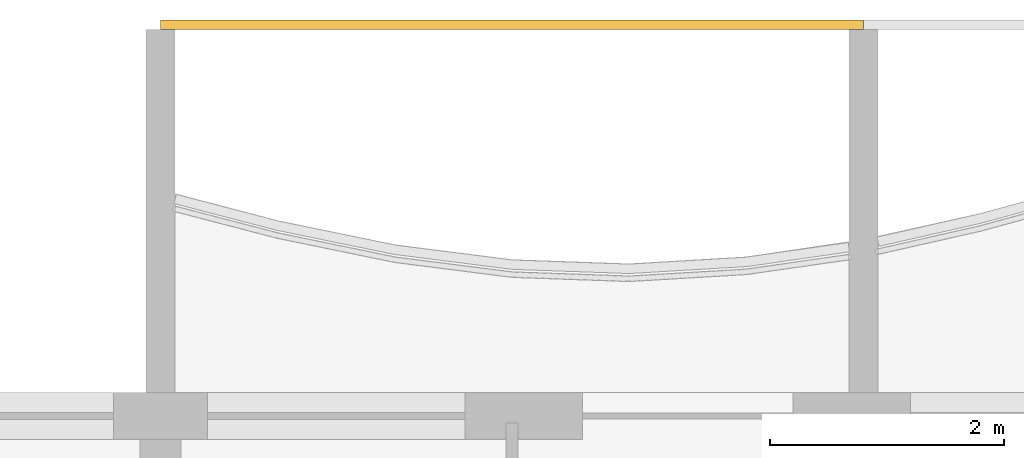
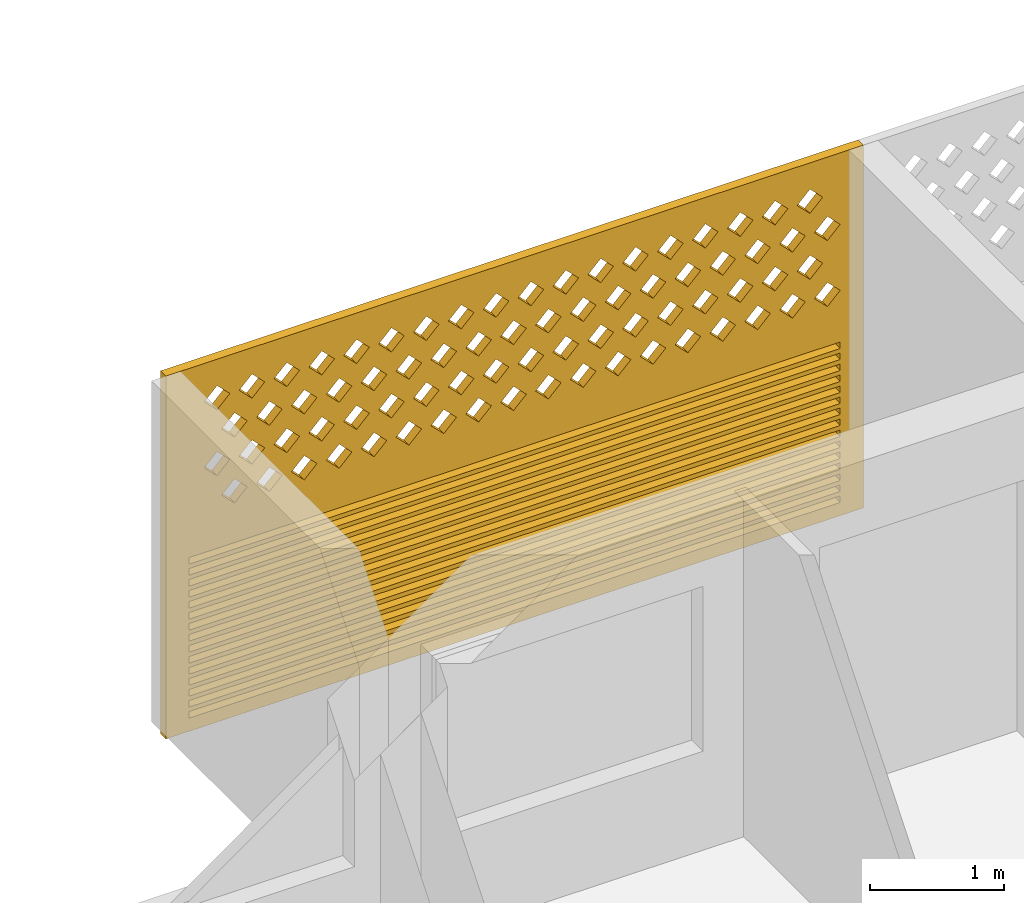
# One storey, part 22 of 27: 1 covering.
"""IFC4 building model written with IfcOpenShell, lengths in metres."""

from ifc_helpers import new_model, si_unit, direction, frame, origin, place, context, subcontext, project, spatial, polyline, outline, extrude, source, transform, mapped, material, material_profile, profile_set, type_object, element, save


model = new_model("IFC4")

# Units and contexts
model_context = context("Model", 3, precision=1e-05, world=origin(), true_north=direction((0.0, 1.0)))
body_context = subcontext(model_context, "Body", "Model", "MODEL_VIEW")
ifc_project = project(units=[si_unit("LENGTHUNIT", "METRE"), si_unit("AREAUNIT", "SQUARE_METRE"), si_unit("VOLUMEUNIT", "CUBIC_METRE"), si_unit("PLANEANGLEUNIT", "RADIAN"), si_unit("MASSUNIT", "GRAM", prefix="KILO")], contexts=[model_context])

# Site, building, storey
site_placement = place(None, origin())
site = spatial("IfcSite", under=ifc_project, at=site_placement, CompositionType="ELEMENT")
building_placement = place(site_placement, origin())
building = spatial("IfcBuilding", under=site, at=building_placement, Name="Poui Terraces", CompositionType="ELEMENT")
storey_placement = place(building_placement, frame((0.0, 0.0, 92.699951171875)))
storey = spatial("IfcBuildingStorey", under=building, at=storey_placement, Name="L25", CompositionType="ELEMENT", Elevation=92.699951171875)

# Covering
ifc_material = material(Name="Terracotta screen", Category="masonry")
ifc_material_profile = material_profile(ifc_material, outline(polyline([(-3.0, -1.64990234375), (3.0, -1.64990234375), (3.0, 1.64990234375), (-3.0, 1.64990234375), (-3.0, -1.64990234375)]), holes=[polyline([(-2.800048828125, 0.39990234375), (-2.68994140625, 0.2900390625), (-2.580078125, 0.39990234375), (-2.68994140625, 0.510009765625), (-2.800048828125, 0.39990234375)]), polyline([(-2.5, 0.39990234375), (-2.389892578125, 0.2900390625), (-2.280029296875, 0.39990234375), (-2.389892578125, 0.510009765625), (-2.5, 0.39990234375)]), polyline([(-2.199951171875, 0.39990234375), (-2.090087890625, 0.2900390625), (-1.97998046875, 0.39990234375), (-2.090087890625, 0.510009765625), (-2.199951171875, 0.39990234375)]), polyline([(-1.89990234375, 0.39990234375), (-1.7900390625, 0.2900390625), (-1.679931640625, 0.39990234375), (-1.7900390625, 0.510009765625), (-1.89990234375, 0.39990234375)]), polyline([(-1.60009765625, 0.39990234375), (-1.489990234375, 0.2900390625), (-1.3798828125, 0.39990234375), (-1.489990234375, 0.510009765625), (-1.60009765625, 0.39990234375)]), polyline([(-1.300048828125, 0.39990234375), (-1.18994140625, 0.2900390625), (-1.080078125, 0.39990234375), (-1.18994140625, 0.510009765625), (-1.300048828125, 0.39990234375)]), polyline([(-1.0, 0.39990234375), (-0.889892578125, 0.2900390625), (-0.780029296875, 0.39990234375), (-0.889892578125, 0.510009765625), (-1.0, 0.39990234375)]), polyline([(-0.699951171875, 0.39990234375), (-0.590087890625, 0.2900390625), (-0.47998046875, 0.39990234375), (-0.590087890625, 0.510009765625), (-0.699951171875, 0.39990234375)]), polyline([(-0.39990234375, 0.39990234375), (-0.2900390625, 0.2900390625), (-0.179931640625, 0.39990234375), (-0.2900390625, 0.510009765625), (-0.39990234375, 0.39990234375)]), polyline([(-0.10009765625, 0.39990234375), (0.010009765625, 0.2900390625), (0.1201171875, 0.39990234375), (0.010009765625, 0.510009765625), (-0.10009765625, 0.39990234375)]), polyline([(0.199951171875, 0.39990234375), (0.31005859375, 0.2900390625), (0.419921875, 0.39990234375), (0.31005859375, 0.510009765625), (0.199951171875, 0.39990234375)]), polyline([(0.5, 0.39990234375), (0.610107421875, 0.2900390625), (0.719970703125, 0.39990234375), (0.610107421875, 0.510009765625), (0.5, 0.39990234375)]), polyline([(0.800048828125, 0.39990234375), (0.909912109375, 0.2900390625), (1.02001953125, 0.39990234375), (0.909912109375, 0.510009765625), (0.800048828125, 0.39990234375)]), polyline([(1.10009765625, 0.39990234375), (1.2099609375, 0.2900390625), (1.320068359375, 0.39990234375), (1.2099609375, 0.510009765625), (1.10009765625, 0.39990234375)]), polyline([(1.39990234375, 0.39990234375), (1.510009765625, 0.2900390625), (1.6201171875, 0.39990234375), (1.510009765625, 0.510009765625), (1.39990234375, 0.39990234375)]), polyline([(1.699951171875, 0.39990234375), (1.81005859375, 0.2900390625), (1.919921875, 0.39990234375), (1.81005859375, 0.510009765625), (1.699951171875, 0.39990234375)]), polyline([(2.0, 0.39990234375), (2.110107421875, 0.2900390625), (2.219970703125, 0.39990234375), (2.110107421875, 0.510009765625), (2.0, 0.39990234375)]), polyline([(2.300048828125, 0.39990234375), (2.409912109375, 0.2900390625), (2.52001953125, 0.39990234375), (2.409912109375, 0.510009765625), (2.300048828125, 0.39990234375)]), polyline([(-2.64990234375, 0.699951171875), (-2.5400390625, 0.590087890625), (-2.429931640625, 0.699951171875), (-2.5400390625, 0.81005859375), (-2.64990234375, 0.699951171875)]), polyline([(-2.35009765625, 0.699951171875), (-2.239990234375, 0.590087890625), (-2.1298828125, 0.699951171875), (-2.239990234375, 0.81005859375), (-2.35009765625, 0.699951171875)]), polyline([(-2.050048828125, 0.699951171875), (-1.93994140625, 0.590087890625), (-1.830078125, 0.699951171875), (-1.93994140625, 0.81005859375), (-2.050048828125, 0.699951171875)]), polyline([(-1.75, 0.699951171875), (-1.639892578125, 0.590087890625), (-1.530029296875, 0.699951171875), (-1.639892578125, 0.81005859375), (-1.75, 0.699951171875)]), polyline([(-1.449951171875, 0.699951171875), (-1.340087890625, 0.590087890625), (-1.22998046875, 0.699951171875), (-1.340087890625, 0.81005859375), (-1.449951171875, 0.699951171875)]), polyline([(-1.14990234375, 0.699951171875), (-1.0400390625, 0.590087890625), (-0.929931640625, 0.699951171875), (-1.0400390625, 0.81005859375), (-1.14990234375, 0.699951171875)]), polyline([(-0.85009765625, 0.699951171875), (-0.739990234375, 0.590087890625), (-0.6298828125, 0.699951171875), (-0.739990234375, 0.81005859375), (-0.85009765625, 0.699951171875)]), polyline([(-0.550048828125, 0.699951171875), (-0.43994140625, 0.590087890625), (-0.330078125, 0.699951171875), (-0.43994140625, 0.81005859375), (-0.550048828125, 0.699951171875)]), polyline([(-0.25, 0.699951171875), (-0.139892578125, 0.590087890625), (-0.030029296875, 0.699951171875), (-0.139892578125, 0.81005859375), (-0.25, 0.699951171875)]), polyline([(0.050048828125, 0.699951171875), (0.159912109375, 0.590087890625), (0.27001953125, 0.699951171875), (0.159912109375, 0.81005859375), (0.050048828125, 0.699951171875)]), polyline([(0.35009765625, 0.699951171875), (0.4599609375, 0.590087890625), (0.570068359375, 0.699951171875), (0.4599609375, 0.81005859375), (0.35009765625, 0.699951171875)]), polyline([(0.64990234375, 0.699951171875), (0.760009765625, 0.590087890625), (0.8701171875, 0.699951171875), (0.760009765625, 0.81005859375), (0.64990234375, 0.699951171875)]), polyline([(0.949951171875, 0.699951171875), (1.06005859375, 0.590087890625), (1.169921875, 0.699951171875), (1.06005859375, 0.81005859375), (0.949951171875, 0.699951171875)]), polyline([(1.25, 0.699951171875), (1.360107421875, 0.590087890625), (1.469970703125, 0.699951171875), (1.360107421875, 0.81005859375), (1.25, 0.699951171875)]), polyline([(1.550048828125, 0.699951171875), (1.659912109375, 0.590087890625), (1.77001953125, 0.699951171875), (1.659912109375, 0.81005859375), (1.550048828125, 0.699951171875)]), polyline([(1.85009765625, 0.699951171875), (1.9599609375, 0.590087890625), (2.070068359375, 0.699951171875), (1.9599609375, 0.81005859375), (1.85009765625, 0.699951171875)]), polyline([(2.14990234375, 0.699951171875), (2.260009765625, 0.590087890625), (2.3701171875, 0.699951171875), (2.260009765625, 0.81005859375), (2.14990234375, 0.699951171875)]), polyline([(2.449951171875, 0.699951171875), (2.56005859375, 0.590087890625), (2.669921875, 0.699951171875), (2.56005859375, 0.81005859375), (2.449951171875, 0.699951171875)]), polyline([(-2.800048828125, 1.0), (-2.68994140625, 0.889892578125), (-2.580078125, 1.0), (-2.68994140625, 1.110107421875), (-2.800048828125, 1.0)]), polyline([(-2.5, 1.0), (-2.389892578125, 0.889892578125), (-2.280029296875, 1.0), (-2.389892578125, 1.110107421875), (-2.5, 1.0)]), polyline([(-2.199951171875, 1.0), (-2.090087890625, 0.889892578125), (-1.97998046875, 1.0), (-2.090087890625, 1.110107421875), (-2.199951171875, 1.0)]), polyline([(-1.89990234375, 1.0), (-1.7900390625, 0.889892578125), (-1.679931640625, 1.0), (-1.7900390625, 1.110107421875), (-1.89990234375, 1.0)]), polyline([(-1.60009765625, 1.0), (-1.489990234375, 0.889892578125), (-1.3798828125, 1.0), (-1.489990234375, 1.110107421875), (-1.60009765625, 1.0)]), polyline([(-1.300048828125, 1.0), (-1.18994140625, 0.889892578125), (-1.080078125, 1.0), (-1.18994140625, 1.110107421875), (-1.300048828125, 1.0)]), polyline([(-1.0, 1.0), (-0.889892578125, 0.889892578125), (-0.780029296875, 1.0), (-0.889892578125, 1.110107421875), (-1.0, 1.0)]), polyline([(-0.699951171875, 1.0), (-0.590087890625, 0.889892578125), (-0.47998046875, 1.0), (-0.590087890625, 1.110107421875), (-0.699951171875, 1.0)]), polyline([(-0.39990234375, 1.0), (-0.2900390625, 0.889892578125), (-0.179931640625, 1.0), (-0.2900390625, 1.110107421875), (-0.39990234375, 1.0)]), polyline([(-0.10009765625, 1.0), (0.010009765625, 0.889892578125), (0.1201171875, 1.0), (0.010009765625, 1.110107421875), (-0.10009765625, 1.0)]), polyline([(0.199951171875, 1.0), (0.31005859375, 0.889892578125), (0.419921875, 1.0), (0.31005859375, 1.110107421875), (0.199951171875, 1.0)]), polyline([(0.5, 1.0), (0.610107421875, 0.889892578125), (0.719970703125, 1.0), (0.610107421875, 1.110107421875), (0.5, 1.0)]), polyline([(0.800048828125, 1.0), (0.909912109375, 0.889892578125), (1.02001953125, 1.0), (0.909912109375, 1.110107421875), (0.800048828125, 1.0)]), polyline([(1.10009765625, 1.0), (1.2099609375, 0.889892578125), (1.320068359375, 1.0), (1.2099609375, 1.110107421875), (1.10009765625, 1.0)]), polyline([(1.39990234375, 1.0), (1.510009765625, 0.889892578125), (1.6201171875, 1.0), (1.510009765625, 1.110107421875), (1.39990234375, 1.0)]), polyline([(1.699951171875, 1.0), (1.81005859375, 0.889892578125), (1.919921875, 1.0), (1.81005859375, 1.110107421875), (1.699951171875, 1.0)]), polyline([(2.0, 1.0), (2.110107421875, 0.889892578125), (2.219970703125, 1.0), (2.110107421875, 1.110107421875), (2.0, 1.0)]), polyline([(2.300048828125, 1.0), (2.409912109375, 0.889892578125), (2.52001953125, 1.0), (2.409912109375, 1.110107421875), (2.300048828125, 1.0)]), polyline([(-2.64990234375, 1.300048828125), (-2.5400390625, 1.18994140625), (-2.429931640625, 1.300048828125), (-2.5400390625, 1.409912109375), (-2.64990234375, 1.300048828125)]), polyline([(-2.35009765625, 1.300048828125), (-2.239990234375, 1.18994140625), (-2.1298828125, 1.300048828125), (-2.239990234375, 1.409912109375), (-2.35009765625, 1.300048828125)]), polyline([(-2.050048828125, 1.300048828125), (-1.93994140625, 1.18994140625), (-1.830078125, 1.300048828125), (-1.93994140625, 1.409912109375), (-2.050048828125, 1.300048828125)]), polyline([(-1.75, 1.300048828125), (-1.639892578125, 1.18994140625), (-1.530029296875, 1.300048828125), (-1.639892578125, 1.409912109375), (-1.75, 1.300048828125)]), polyline([(-1.449951171875, 1.300048828125), (-1.340087890625, 1.18994140625), (-1.22998046875, 1.300048828125), (-1.340087890625, 1.409912109375), (-1.449951171875, 1.300048828125)]), polyline([(-1.14990234375, 1.300048828125), (-1.0400390625, 1.18994140625), (-0.929931640625, 1.300048828125), (-1.0400390625, 1.409912109375), (-1.14990234375, 1.300048828125)]), polyline([(-0.85009765625, 1.300048828125), (-0.739990234375, 1.18994140625), (-0.6298828125, 1.300048828125), (-0.739990234375, 1.409912109375), (-0.85009765625, 1.300048828125)]), polyline([(-0.550048828125, 1.300048828125), (-0.43994140625, 1.18994140625), (-0.330078125, 1.300048828125), (-0.43994140625, 1.409912109375), (-0.550048828125, 1.300048828125)]), polyline([(-0.25, 1.300048828125), (-0.139892578125, 1.18994140625), (-0.030029296875, 1.300048828125), (-0.139892578125, 1.409912109375), (-0.25, 1.300048828125)]), polyline([(0.050048828125, 1.300048828125), (0.159912109375, 1.18994140625), (0.27001953125, 1.300048828125), (0.159912109375, 1.409912109375), (0.050048828125, 1.300048828125)]), polyline([(0.35009765625, 1.300048828125), (0.4599609375, 1.18994140625), (0.570068359375, 1.300048828125), (0.4599609375, 1.409912109375), (0.35009765625, 1.300048828125)]), polyline([(0.64990234375, 1.300048828125), (0.760009765625, 1.18994140625), (0.8701171875, 1.300048828125), (0.760009765625, 1.409912109375), (0.64990234375, 1.300048828125)]), polyline([(0.949951171875, 1.300048828125), (1.06005859375, 1.18994140625), (1.169921875, 1.300048828125), (1.06005859375, 1.409912109375), (0.949951171875, 1.300048828125)]), polyline([(1.25, 1.300048828125), (1.360107421875, 1.18994140625), (1.469970703125, 1.300048828125), (1.360107421875, 1.409912109375), (1.25, 1.300048828125)]), polyline([(1.550048828125, 1.300048828125), (1.659912109375, 1.18994140625), (1.77001953125, 1.300048828125), (1.659912109375, 1.409912109375), (1.550048828125, 1.300048828125)]), polyline([(1.85009765625, 1.300048828125), (1.9599609375, 1.18994140625), (2.070068359375, 1.300048828125), (1.9599609375, 1.409912109375), (1.85009765625, 1.300048828125)]), polyline([(2.14990234375, 1.300048828125), (2.260009765625, 1.18994140625), (2.3701171875, 1.300048828125), (2.260009765625, 1.409912109375), (2.14990234375, 1.300048828125)]), polyline([(2.449951171875, 1.300048828125), (2.56005859375, 1.18994140625), (2.669921875, 1.300048828125), (2.56005859375, 1.409912109375), (2.449951171875, 1.300048828125)]), polyline([(-2.800048828125, -1.530029296875), (2.800048828125, -1.530029296875), (2.800048828125, -1.469970703125), (-2.800048828125, -1.469970703125), (-2.800048828125, -1.530029296875)]), polyline([(-2.800048828125, -1.429931640625), (2.800048828125, -1.429931640625), (2.800048828125, -1.3701171875), (-2.800048828125, -1.3701171875), (-2.800048828125, -1.429931640625)]), polyline([(-2.800048828125, -1.330078125), (2.800048828125, -1.330078125), (2.800048828125, -1.27001953125), (-2.800048828125, -1.27001953125), (-2.800048828125, -1.330078125)]), polyline([(-2.800048828125, -1.22998046875), (2.800048828125, -1.22998046875), (2.800048828125, -1.169921875), (-2.800048828125, -1.169921875), (-2.800048828125, -1.22998046875)]), polyline([(-2.800048828125, -1.1298828125), (2.800048828125, -1.1298828125), (2.800048828125, -1.070068359375), (-2.800048828125, -1.070068359375), (-2.800048828125, -1.1298828125)]), polyline([(-2.800048828125, -1.030029296875), (2.800048828125, -1.030029296875), (2.800048828125, -0.969970703125), (-2.800048828125, -0.969970703125), (-2.800048828125, -1.030029296875)]), polyline([(-2.800048828125, -0.929931640625), (2.800048828125, -0.929931640625), (2.800048828125, -0.8701171875), (-2.800048828125, -0.8701171875), (-2.800048828125, -0.929931640625)]), polyline([(-2.800048828125, -0.830078125), (2.800048828125, -0.830078125), (2.800048828125, -0.77001953125), (-2.800048828125, -0.77001953125), (-2.800048828125, -0.830078125)]), polyline([(-2.800048828125, -0.72998046875), (2.800048828125, -0.72998046875), (2.800048828125, -0.669921875), (-2.800048828125, -0.669921875), (-2.800048828125, -0.72998046875)]), polyline([(-2.800048828125, -0.6298828125), (2.800048828125, -0.6298828125), (2.800048828125, -0.570068359375), (-2.800048828125, -0.570068359375), (-2.800048828125, -0.6298828125)]), polyline([(-2.800048828125, -0.530029296875), (2.800048828125, -0.530029296875), (2.800048828125, -0.469970703125), (-2.800048828125, -0.469970703125), (-2.800048828125, -0.530029296875)]), polyline([(-2.800048828125, -0.429931640625), (2.800048828125, -0.429931640625), (2.800048828125, -0.3701171875), (-2.800048828125, -0.3701171875), (-2.800048828125, -0.429931640625)]), polyline([(-2.800048828125, -0.330078125), (2.800048828125, -0.330078125), (2.800048828125, -0.27001953125), (-2.800048828125, -0.27001953125), (-2.800048828125, -0.330078125)]), polyline([(-2.800048828125, -0.22998046875), (2.800048828125, -0.22998046875), (2.800048828125, -0.169921875), (-2.800048828125, -0.169921875), (-2.800048828125, -0.22998046875)]), polyline([(-2.800048828125, -0.1298828125), (2.800048828125, -0.1298828125), (2.800048828125, -0.070068359375), (-2.800048828125, -0.070068359375), (-2.800048828125, -0.1298828125)])]), Name="TERRACOTTA SCREEN AND JALOUSIE LOUVRE 6000X3300")
ifc_profile_set = profile_set([ifc_material_profile], Name="Terracotta screen")
covering_type = type_object("IfcCoveringType", Name="TERRACOTTA SCREEN AND JALOUSIE LOUVRE 6000X3300", PredefinedType="CLADDING", material=ifc_profile_set)
shared_shape = source(origin(), body_context, "Body", "SweptSolid", [
    extrude(outline(polyline([(-3.0, -1.64990234375), (3.0, -1.64990234375), (3.0, 1.64990234375), (-3.0, 1.64990234375), (-3.0, -1.64990234375)]), holes=[polyline([(-2.800048828125, 0.39990234375), (-2.68994140625, 0.2900390625), (-2.580078125, 0.39990234375), (-2.68994140625, 0.510009765625), (-2.800048828125, 0.39990234375)]), polyline([(-2.5, 0.39990234375), (-2.389892578125, 0.2900390625), (-2.280029296875, 0.39990234375), (-2.389892578125, 0.510009765625), (-2.5, 0.39990234375)]), polyline([(-2.199951171875, 0.39990234375), (-2.090087890625, 0.2900390625), (-1.97998046875, 0.39990234375), (-2.090087890625, 0.510009765625), (-2.199951171875, 0.39990234375)]), polyline([(-1.89990234375, 0.39990234375), (-1.7900390625, 0.2900390625), (-1.679931640625, 0.39990234375), (-1.7900390625, 0.510009765625), (-1.89990234375, 0.39990234375)]), polyline([(-1.60009765625, 0.39990234375), (-1.489990234375, 0.2900390625), (-1.3798828125, 0.39990234375), (-1.489990234375, 0.510009765625), (-1.60009765625, 0.39990234375)]), polyline([(-1.300048828125, 0.39990234375), (-1.18994140625, 0.2900390625), (-1.080078125, 0.39990234375), (-1.18994140625, 0.510009765625), (-1.300048828125, 0.39990234375)]), polyline([(-1.0, 0.39990234375), (-0.889892578125, 0.2900390625), (-0.780029296875, 0.39990234375), (-0.889892578125, 0.510009765625), (-1.0, 0.39990234375)]), polyline([(-0.699951171875, 0.39990234375), (-0.590087890625, 0.2900390625), (-0.47998046875, 0.39990234375), (-0.590087890625, 0.510009765625), (-0.699951171875, 0.39990234375)]), polyline([(-0.39990234375, 0.39990234375), (-0.2900390625, 0.2900390625), (-0.179931640625, 0.39990234375), (-0.2900390625, 0.510009765625), (-0.39990234375, 0.39990234375)]), polyline([(-0.10009765625, 0.39990234375), (0.010009765625, 0.2900390625), (0.1201171875, 0.39990234375), (0.010009765625, 0.510009765625), (-0.10009765625, 0.39990234375)]), polyline([(0.199951171875, 0.39990234375), (0.31005859375, 0.2900390625), (0.419921875, 0.39990234375), (0.31005859375, 0.510009765625), (0.199951171875, 0.39990234375)]), polyline([(0.5, 0.39990234375), (0.610107421875, 0.2900390625), (0.719970703125, 0.39990234375), (0.610107421875, 0.510009765625), (0.5, 0.39990234375)]), polyline([(0.800048828125, 0.39990234375), (0.909912109375, 0.2900390625), (1.02001953125, 0.39990234375), (0.909912109375, 0.510009765625), (0.800048828125, 0.39990234375)]), polyline([(1.10009765625, 0.39990234375), (1.2099609375, 0.2900390625), (1.320068359375, 0.39990234375), (1.2099609375, 0.510009765625), (1.10009765625, 0.39990234375)]), polyline([(1.39990234375, 0.39990234375), (1.510009765625, 0.2900390625), (1.6201171875, 0.39990234375), (1.510009765625, 0.510009765625), (1.39990234375, 0.39990234375)]), polyline([(1.699951171875, 0.39990234375), (1.81005859375, 0.2900390625), (1.919921875, 0.39990234375), (1.81005859375, 0.510009765625), (1.699951171875, 0.39990234375)]), polyline([(2.0, 0.39990234375), (2.110107421875, 0.2900390625), (2.219970703125, 0.39990234375), (2.110107421875, 0.510009765625), (2.0, 0.39990234375)]), polyline([(2.300048828125, 0.39990234375), (2.409912109375, 0.2900390625), (2.52001953125, 0.39990234375), (2.409912109375, 0.510009765625), (2.300048828125, 0.39990234375)]), polyline([(-2.64990234375, 0.699951171875), (-2.5400390625, 0.590087890625), (-2.429931640625, 0.699951171875), (-2.5400390625, 0.81005859375), (-2.64990234375, 0.699951171875)]), polyline([(-2.35009765625, 0.699951171875), (-2.239990234375, 0.590087890625), (-2.1298828125, 0.699951171875), (-2.239990234375, 0.81005859375), (-2.35009765625, 0.699951171875)]), polyline([(-2.050048828125, 0.699951171875), (-1.93994140625, 0.590087890625), (-1.830078125, 0.699951171875), (-1.93994140625, 0.81005859375), (-2.050048828125, 0.699951171875)]), polyline([(-1.75, 0.699951171875), (-1.639892578125, 0.590087890625), (-1.530029296875, 0.699951171875), (-1.639892578125, 0.81005859375), (-1.75, 0.699951171875)]), polyline([(-1.449951171875, 0.699951171875), (-1.340087890625, 0.590087890625), (-1.22998046875, 0.699951171875), (-1.340087890625, 0.81005859375), (-1.449951171875, 0.699951171875)]), polyline([(-1.14990234375, 0.699951171875), (-1.0400390625, 0.590087890625), (-0.929931640625, 0.699951171875), (-1.0400390625, 0.81005859375), (-1.14990234375, 0.699951171875)]), polyline([(-0.85009765625, 0.699951171875), (-0.739990234375, 0.590087890625), (-0.6298828125, 0.699951171875), (-0.739990234375, 0.81005859375), (-0.85009765625, 0.699951171875)]), polyline([(-0.550048828125, 0.699951171875), (-0.43994140625, 0.590087890625), (-0.330078125, 0.699951171875), (-0.43994140625, 0.81005859375), (-0.550048828125, 0.699951171875)]), polyline([(-0.25, 0.699951171875), (-0.139892578125, 0.590087890625), (-0.030029296875, 0.699951171875), (-0.139892578125, 0.81005859375), (-0.25, 0.699951171875)]), polyline([(0.050048828125, 0.699951171875), (0.159912109375, 0.590087890625), (0.27001953125, 0.699951171875), (0.159912109375, 0.81005859375), (0.050048828125, 0.699951171875)]), polyline([(0.35009765625, 0.699951171875), (0.4599609375, 0.590087890625), (0.570068359375, 0.699951171875), (0.4599609375, 0.81005859375), (0.35009765625, 0.699951171875)]), polyline([(0.64990234375, 0.699951171875), (0.760009765625, 0.590087890625), (0.8701171875, 0.699951171875), (0.760009765625, 0.81005859375), (0.64990234375, 0.699951171875)]), polyline([(0.949951171875, 0.699951171875), (1.06005859375, 0.590087890625), (1.169921875, 0.699951171875), (1.06005859375, 0.81005859375), (0.949951171875, 0.699951171875)]), polyline([(1.25, 0.699951171875), (1.360107421875, 0.590087890625), (1.469970703125, 0.699951171875), (1.360107421875, 0.81005859375), (1.25, 0.699951171875)]), polyline([(1.550048828125, 0.699951171875), (1.659912109375, 0.590087890625), (1.77001953125, 0.699951171875), (1.659912109375, 0.81005859375), (1.550048828125, 0.699951171875)]), polyline([(1.85009765625, 0.699951171875), (1.9599609375, 0.590087890625), (2.070068359375, 0.699951171875), (1.9599609375, 0.81005859375), (1.85009765625, 0.699951171875)]), polyline([(2.14990234375, 0.699951171875), (2.260009765625, 0.590087890625), (2.3701171875, 0.699951171875), (2.260009765625, 0.81005859375), (2.14990234375, 0.699951171875)]), polyline([(2.449951171875, 0.699951171875), (2.56005859375, 0.590087890625), (2.669921875, 0.699951171875), (2.56005859375, 0.81005859375), (2.449951171875, 0.699951171875)]), polyline([(-2.800048828125, 1.0), (-2.68994140625, 0.889892578125), (-2.580078125, 1.0), (-2.68994140625, 1.110107421875), (-2.800048828125, 1.0)]), polyline([(-2.5, 1.0), (-2.389892578125, 0.889892578125), (-2.280029296875, 1.0), (-2.389892578125, 1.110107421875), (-2.5, 1.0)]), polyline([(-2.199951171875, 1.0), (-2.090087890625, 0.889892578125), (-1.97998046875, 1.0), (-2.090087890625, 1.110107421875), (-2.199951171875, 1.0)]), polyline([(-1.89990234375, 1.0), (-1.7900390625, 0.889892578125), (-1.679931640625, 1.0), (-1.7900390625, 1.110107421875), (-1.89990234375, 1.0)]), polyline([(-1.60009765625, 1.0), (-1.489990234375, 0.889892578125), (-1.3798828125, 1.0), (-1.489990234375, 1.110107421875), (-1.60009765625, 1.0)]), polyline([(-1.300048828125, 1.0), (-1.18994140625, 0.889892578125), (-1.080078125, 1.0), (-1.18994140625, 1.110107421875), (-1.300048828125, 1.0)]), polyline([(-1.0, 1.0), (-0.889892578125, 0.889892578125), (-0.780029296875, 1.0), (-0.889892578125, 1.110107421875), (-1.0, 1.0)]), polyline([(-0.699951171875, 1.0), (-0.590087890625, 0.889892578125), (-0.47998046875, 1.0), (-0.590087890625, 1.110107421875), (-0.699951171875, 1.0)]), polyline([(-0.39990234375, 1.0), (-0.2900390625, 0.889892578125), (-0.179931640625, 1.0), (-0.2900390625, 1.110107421875), (-0.39990234375, 1.0)]), polyline([(-0.10009765625, 1.0), (0.010009765625, 0.889892578125), (0.1201171875, 1.0), (0.010009765625, 1.110107421875), (-0.10009765625, 1.0)]), polyline([(0.199951171875, 1.0), (0.31005859375, 0.889892578125), (0.419921875, 1.0), (0.31005859375, 1.110107421875), (0.199951171875, 1.0)]), polyline([(0.5, 1.0), (0.610107421875, 0.889892578125), (0.719970703125, 1.0), (0.610107421875, 1.110107421875), (0.5, 1.0)]), polyline([(0.800048828125, 1.0), (0.909912109375, 0.889892578125), (1.02001953125, 1.0), (0.909912109375, 1.110107421875), (0.800048828125, 1.0)]), polyline([(1.10009765625, 1.0), (1.2099609375, 0.889892578125), (1.320068359375, 1.0), (1.2099609375, 1.110107421875), (1.10009765625, 1.0)]), polyline([(1.39990234375, 1.0), (1.510009765625, 0.889892578125), (1.6201171875, 1.0), (1.510009765625, 1.110107421875), (1.39990234375, 1.0)]), polyline([(1.699951171875, 1.0), (1.81005859375, 0.889892578125), (1.919921875, 1.0), (1.81005859375, 1.110107421875), (1.699951171875, 1.0)]), polyline([(2.0, 1.0), (2.110107421875, 0.889892578125), (2.219970703125, 1.0), (2.110107421875, 1.110107421875), (2.0, 1.0)]), polyline([(2.300048828125, 1.0), (2.409912109375, 0.889892578125), (2.52001953125, 1.0), (2.409912109375, 1.110107421875), (2.300048828125, 1.0)]), polyline([(-2.64990234375, 1.300048828125), (-2.5400390625, 1.18994140625), (-2.429931640625, 1.300048828125), (-2.5400390625, 1.409912109375), (-2.64990234375, 1.300048828125)]), polyline([(-2.35009765625, 1.300048828125), (-2.239990234375, 1.18994140625), (-2.1298828125, 1.300048828125), (-2.239990234375, 1.409912109375), (-2.35009765625, 1.300048828125)]), polyline([(-2.050048828125, 1.300048828125), (-1.93994140625, 1.18994140625), (-1.830078125, 1.300048828125), (-1.93994140625, 1.409912109375), (-2.050048828125, 1.300048828125)]), polyline([(-1.75, 1.300048828125), (-1.639892578125, 1.18994140625), (-1.530029296875, 1.300048828125), (-1.639892578125, 1.409912109375), (-1.75, 1.300048828125)]), polyline([(-1.449951171875, 1.300048828125), (-1.340087890625, 1.18994140625), (-1.22998046875, 1.300048828125), (-1.340087890625, 1.409912109375), (-1.449951171875, 1.300048828125)]), polyline([(-1.14990234375, 1.300048828125), (-1.0400390625, 1.18994140625), (-0.929931640625, 1.300048828125), (-1.0400390625, 1.409912109375), (-1.14990234375, 1.300048828125)]), polyline([(-0.85009765625, 1.300048828125), (-0.739990234375, 1.18994140625), (-0.6298828125, 1.300048828125), (-0.739990234375, 1.409912109375), (-0.85009765625, 1.300048828125)]), polyline([(-0.550048828125, 1.300048828125), (-0.43994140625, 1.18994140625), (-0.330078125, 1.300048828125), (-0.43994140625, 1.409912109375), (-0.550048828125, 1.300048828125)]), polyline([(-0.25, 1.300048828125), (-0.139892578125, 1.18994140625), (-0.030029296875, 1.300048828125), (-0.139892578125, 1.409912109375), (-0.25, 1.300048828125)]), polyline([(0.050048828125, 1.300048828125), (0.159912109375, 1.18994140625), (0.27001953125, 1.300048828125), (0.159912109375, 1.409912109375), (0.050048828125, 1.300048828125)]), polyline([(0.35009765625, 1.300048828125), (0.4599609375, 1.18994140625), (0.570068359375, 1.300048828125), (0.4599609375, 1.409912109375), (0.35009765625, 1.300048828125)]), polyline([(0.64990234375, 1.300048828125), (0.760009765625, 1.18994140625), (0.8701171875, 1.300048828125), (0.760009765625, 1.409912109375), (0.64990234375, 1.300048828125)]), polyline([(0.949951171875, 1.300048828125), (1.06005859375, 1.18994140625), (1.169921875, 1.300048828125), (1.06005859375, 1.409912109375), (0.949951171875, 1.300048828125)]), polyline([(1.25, 1.300048828125), (1.360107421875, 1.18994140625), (1.469970703125, 1.300048828125), (1.360107421875, 1.409912109375), (1.25, 1.300048828125)]), polyline([(1.550048828125, 1.300048828125), (1.659912109375, 1.18994140625), (1.77001953125, 1.300048828125), (1.659912109375, 1.409912109375), (1.550048828125, 1.300048828125)]), polyline([(1.85009765625, 1.300048828125), (1.9599609375, 1.18994140625), (2.070068359375, 1.300048828125), (1.9599609375, 1.409912109375), (1.85009765625, 1.300048828125)]), polyline([(2.14990234375, 1.300048828125), (2.260009765625, 1.18994140625), (2.3701171875, 1.300048828125), (2.260009765625, 1.409912109375), (2.14990234375, 1.300048828125)]), polyline([(2.449951171875, 1.300048828125), (2.56005859375, 1.18994140625), (2.669921875, 1.300048828125), (2.56005859375, 1.409912109375), (2.449951171875, 1.300048828125)]), polyline([(-2.800048828125, -1.530029296875), (2.800048828125, -1.530029296875), (2.800048828125, -1.469970703125), (-2.800048828125, -1.469970703125), (-2.800048828125, -1.530029296875)]), polyline([(-2.800048828125, -1.429931640625), (2.800048828125, -1.429931640625), (2.800048828125, -1.3701171875), (-2.800048828125, -1.3701171875), (-2.800048828125, -1.429931640625)]), polyline([(-2.800048828125, -1.330078125), (2.800048828125, -1.330078125), (2.800048828125, -1.27001953125), (-2.800048828125, -1.27001953125), (-2.800048828125, -1.330078125)]), polyline([(-2.800048828125, -1.22998046875), (2.800048828125, -1.22998046875), (2.800048828125, -1.169921875), (-2.800048828125, -1.169921875), (-2.800048828125, -1.22998046875)]), polyline([(-2.800048828125, -1.1298828125), (2.800048828125, -1.1298828125), (2.800048828125, -1.070068359375), (-2.800048828125, -1.070068359375), (-2.800048828125, -1.1298828125)]), polyline([(-2.800048828125, -1.030029296875), (2.800048828125, -1.030029296875), (2.800048828125, -0.969970703125), (-2.800048828125, -0.969970703125), (-2.800048828125, -1.030029296875)]), polyline([(-2.800048828125, -0.929931640625), (2.800048828125, -0.929931640625), (2.800048828125, -0.8701171875), (-2.800048828125, -0.8701171875), (-2.800048828125, -0.929931640625)]), polyline([(-2.800048828125, -0.830078125), (2.800048828125, -0.830078125), (2.800048828125, -0.77001953125), (-2.800048828125, -0.77001953125), (-2.800048828125, -0.830078125)]), polyline([(-2.800048828125, -0.72998046875), (2.800048828125, -0.72998046875), (2.800048828125, -0.669921875), (-2.800048828125, -0.669921875), (-2.800048828125, -0.72998046875)]), polyline([(-2.800048828125, -0.6298828125), (2.800048828125, -0.6298828125), (2.800048828125, -0.570068359375), (-2.800048828125, -0.570068359375), (-2.800048828125, -0.6298828125)]), polyline([(-2.800048828125, -0.530029296875), (2.800048828125, -0.530029296875), (2.800048828125, -0.469970703125), (-2.800048828125, -0.469970703125), (-2.800048828125, -0.530029296875)]), polyline([(-2.800048828125, -0.429931640625), (2.800048828125, -0.429931640625), (2.800048828125, -0.3701171875), (-2.800048828125, -0.3701171875), (-2.800048828125, -0.429931640625)]), polyline([(-2.800048828125, -0.330078125), (2.800048828125, -0.330078125), (2.800048828125, -0.27001953125), (-2.800048828125, -0.27001953125), (-2.800048828125, -0.330078125)]), polyline([(-2.800048828125, -0.22998046875), (2.800048828125, -0.22998046875), (2.800048828125, -0.169921875), (-2.800048828125, -0.169921875), (-2.800048828125, -0.22998046875)]), polyline([(-2.800048828125, -0.1298828125), (2.800048828125, -0.1298828125), (2.800048828125, -0.070068359375), (-2.800048828125, -0.070068359375), (-2.800048828125, -0.1298828125)])]), origin(), (0.0, 0.0, 1.0), 0.080078125),
])
covering_placement = place(storey_placement, frame((69.0, 46.89990234375, 1.449951171875), z_axis=(0.0, 1.0, 0.0), x_axis=(-1.0, 0.0, 0.0)))
element("IfcCovering", 1, at=covering_placement, inside=storey, type_object=covering_type, Name="SOLAR SCREEN AND JALOUSIE LOUVRE", PredefinedType="CLADDING", context=body_context, shape_type="MappedRepresentation", body=[
    mapped(shared_shape, transform((0.0, 0.0, 0.0))),
])

save(model, "model.ifc")
